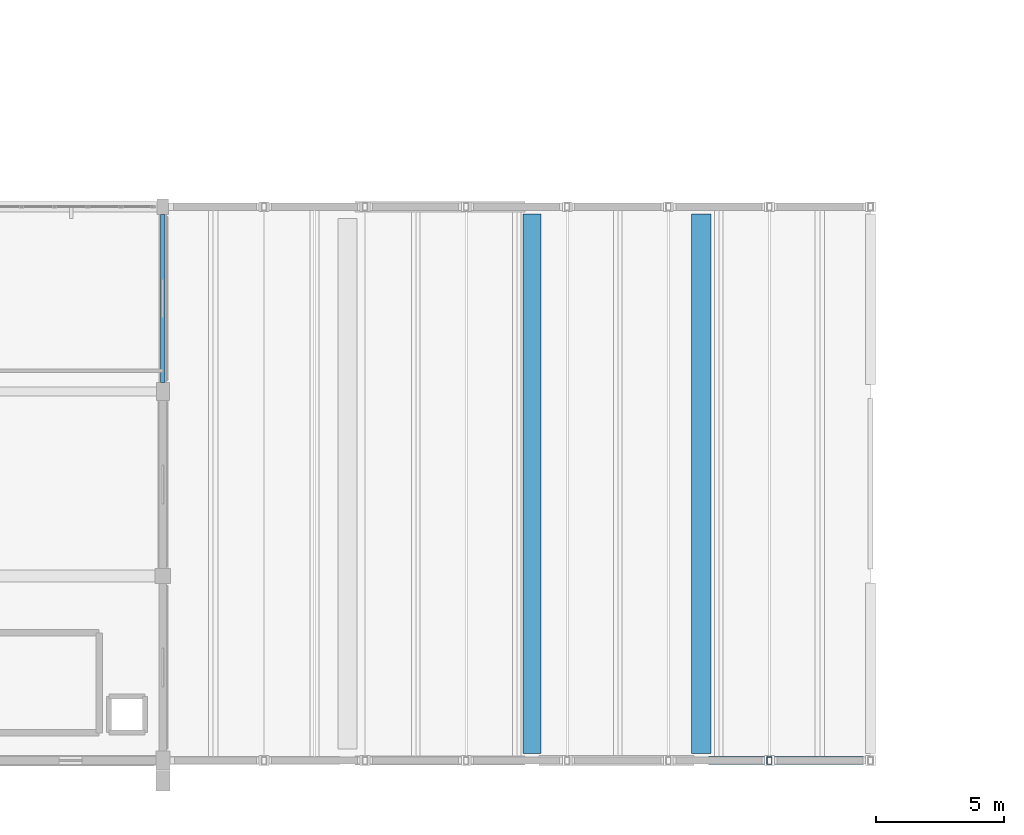
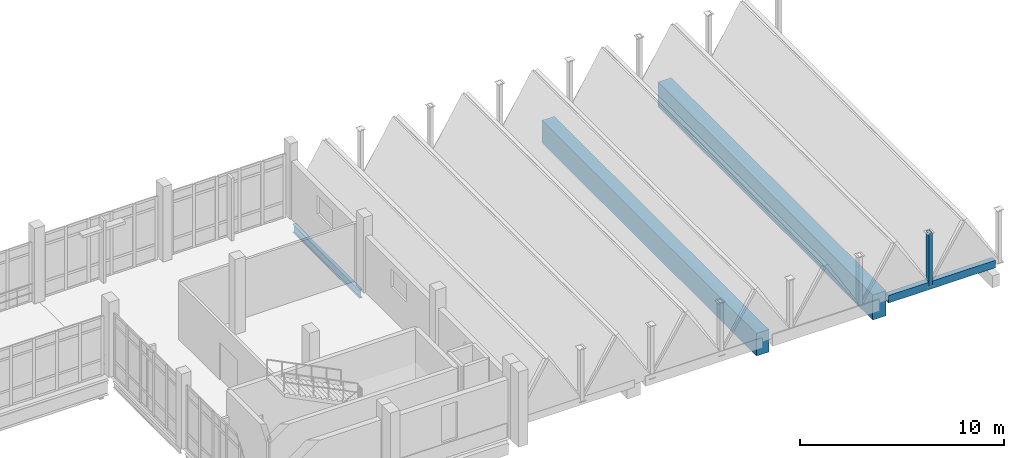
# One storey, part 52 of 124: 4 beams, 1 member.
"""IFC4 building model written with IfcOpenShell, lengths in metres."""

from ifc_helpers import new_model, si_unit, direction, frame, origin, origin_2d, place, context, subcontext, project, spatial, rectangle, hollow_rectangle, i_section, extrude, material, material_profile, profile_set, type_object, element, save


model = new_model("IFC4")

# Units and contexts
model_context = context("Model", 3, precision=1e-05, world=origin(), true_north=direction((0.0, 1.0)))
body_context = subcontext(model_context, "Body", "Model", "MODEL_VIEW")
ifc_project = project(units=[si_unit("LENGTHUNIT", "METRE"), si_unit("AREAUNIT", "SQUARE_METRE"), si_unit("VOLUMEUNIT", "CUBIC_METRE"), si_unit("PLANEANGLEUNIT", "RADIAN"), si_unit("MASSUNIT", "GRAM", prefix="KILO")], contexts=[model_context])

# Site, building, storey
site_placement = place(None, origin())
site = spatial("IfcSite", under=ifc_project, at=site_placement, CompositionType="ELEMENT")
building_placement = place(site_placement, origin())
building = spatial("IfcBuilding", under=site, at=building_placement, Name="Kalluvel Institute of Natural Sciences", CompositionType="ELEMENT")
storey_placement = place(building_placement, frame((0.0, 0.0, 9.89990234375)))
storey = spatial("IfcBuildingStorey", under=building, at=storey_placement, Name="L02", CompositionType="ELEMENT", Elevation=9.89990234375)

# Beams
ifc_material_1 = material(Name="Steel E350 Grade 350", Category="steel")
ifc_material_profile_1 = material_profile(ifc_material_1, i_section(OverallWidth=0.179931640625, OverallDepth=0.5, WebThickness=0.01025390625, FlangeThickness=0.01708984375, FilletRadius=0.01708984375, at=origin_2d()), Name="ISMB 500")
ifc_profile_set_1 = profile_set([ifc_material_profile_1], Name="Steel E350 Grade 350")
beam_type_1 = type_object("IfcBeamType", Name="BM-ISMB500", PredefinedType="BEAM", material=ifc_profile_set_1)
beam_1_placement = place(storey_placement, frame((114.800048828125, 28.75, -0.56982421875), z_axis=(0.0, 1.0, 0.0), x_axis=(-1.0, 0.0, 0.0)))
element("IfcBeam", 1, at=beam_1_placement, inside=storey, type_object=beam_type_1, Name="L02 girder GIR-L02-NS-X1148-Y284", PredefinedType="BEAM", context=body_context, shape_type="SweptSolid", body=[
    extrude(i_section(OverallWidth=0.179931640625, OverallDepth=0.5, WebThickness=0.01025390625, FlangeThickness=0.01708984375, FilletRadius=0.01708984375, at=origin_2d()), origin(), (0.0, 0.0, 1.0), 6.550048828125),
])
ifc_material_2 = material(Name="Concrete M50", Category="concrete")
ifc_material_profile_2 = material_profile(ifc_material_2, rectangle(XDim=0.699951171875, YDim=1.35009765625, at=origin_2d()), Name="RCB 700x1350")
ifc_profile_set_2 = profile_set([ifc_material_profile_2], Name="Concrete M50")
beam_type_2 = type_object("IfcBeamType", Name="BM-RC700x1350", PredefinedType="BEAM", material=ifc_profile_set_2)
beam_2_placement = place(storey_placement, frame((129.199951171875, 14.27490234375, 0.2451171875), z_axis=(0.0, 1.0, 0.0), x_axis=(-1.0, 0.0, 0.0)))
element("IfcBeam", 2, at=beam_2_placement, inside=storey, type_object=beam_type_2, Name="L02 girder GIR-L02-NS-X1292-Y140", PredefinedType="BEAM", context=body_context, shape_type="SweptSolid", body=[
    extrude(rectangle(XDim=0.699951171875, YDim=1.35009765625, at=origin_2d()), origin(), (0.0, 0.0, 1.0), 21.050048828125),
])
ifc_material_profile_3 = material_profile(ifc_material_2, rectangle(XDim=0.75, YDim=1.5, at=origin_2d()), Name="RCB 750x1500")
ifc_profile_set_3 = profile_set([ifc_material_profile_3], Name="Concrete M50")
beam_type_3 = type_object("IfcBeamType", Name="BM-RC750x1500", PredefinedType="BEAM", material=ifc_profile_set_3)
beam_3_placement = place(storey_placement, frame((135.800048828125, 14.27490234375, 0.170166015625), z_axis=(0.0, 1.0, 0.0), x_axis=(-1.0, 0.0, 0.0)))
element("IfcBeam", 3, at=beam_3_placement, inside=storey, type_object=beam_type_3, Name="L02 girder GIR-L02-NS-X1358-Y140", PredefinedType="BEAM", context=body_context, shape_type="SweptSolid", body=[
    extrude(rectangle(XDim=0.75, YDim=1.5, at=origin_2d()), origin(), (0.0, 0.0, 1.0), 21.050048828125),
])

# Member
ifc_material_profile_4 = material_profile(ifc_material_1, hollow_rectangle(XDim=0.199951171875, YDim=0.300048828125, WallThickness=0.011962890625, at=origin_2d()), Name="RHS 300x200x12")
ifc_profile_set_4 = profile_set([ifc_material_profile_4], Name="Steel E350 Grade 350")
member_type = type_object("IfcMemberType", Name="MB-ARCH-RHS300", PredefinedType="CHORD", material=ifc_profile_set_4)
member_placement = place(storey_placement, frame((138.45703125, 14.0, 0.650146484375), z_axis=(0.0, 0.0, 1.0), x_axis=(1.0, 0.0, 0.0)))
element("IfcMember", 4, at=member_placement, inside=storey, type_object=member_type, Name="Lecture theatre folded-plate valley mullion post 6", PredefinedType="CHORD", context=body_context, shape_type="SweptSolid", body=[
    extrude(hollow_rectangle(XDim=0.199951171875, YDim=0.300048828125, WallThickness=0.011962890625, at=origin_2d()), origin(), (0.0, 0.0, 1.0), 3.169921875),
])

# Beam
ifc_material_3 = material(Name="Concrete M40", Category="concrete")
ifc_material_profile_5 = material_profile(ifc_material_3, rectangle(XDim=0.300048828125, YDim=0.449951171875, at=origin_2d()), Name="RCB 300x450")
ifc_profile_set_5 = profile_set([ifc_material_profile_5], Name="Concrete M40")
beam_type_4 = type_object("IfcBeamType", Name="SP-RC300x450", PredefinedType="SPANDREL", material=ifc_profile_set_5)
beam_4_placement = place(storey_placement, frame((136.074951171875, 14.0, 0.695068359375), z_axis=(1.0, 0.0, 0.0), x_axis=(0.0, 1.0, 0.0)))
element("IfcBeam", 5, at=beam_4_placement, inside=storey, type_object=beam_type_4, Name="L02 girder GIR-L02-EW-X1358-Y140", PredefinedType="SPANDREL", context=body_context, shape_type="SweptSolid", body=[
    extrude(rectangle(XDim=0.300048828125, YDim=0.449951171875, at=origin_2d()), origin(), (0.0, 0.0, 1.0), 6.050048828125),
])

save(model, "model.ifc")
